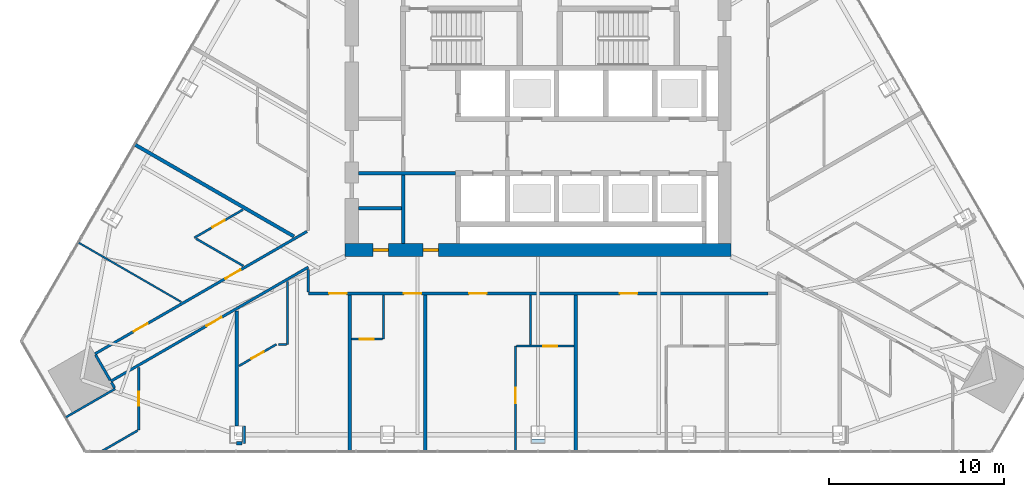
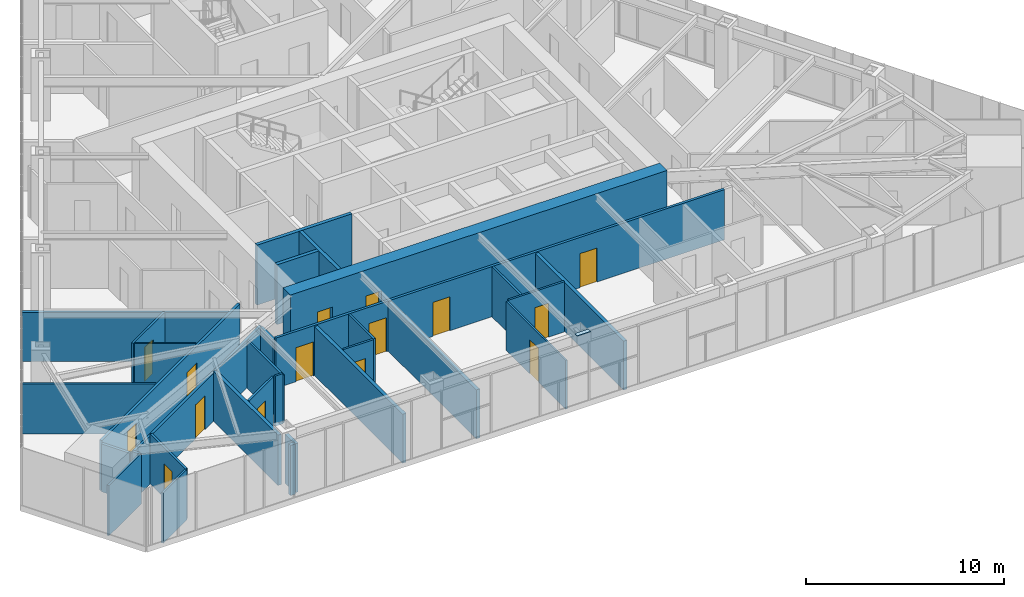
# One storey, part 18 of 24: 31 walls, 15 doors, 1 plate, 15 openings.
"""IFC4 building model written with IfcOpenShell, lengths in metres."""

from ifc_helpers import new_model, si_unit, direction, frame, frame_2d, origin, place, context, subcontext, project, spatial, polyline, rectangle, outline, extrude, material, layer, layer_set, type_object, element, fill, save


model = new_model("IFC4")

# Units and contexts
model_context = context("Model", 3, precision=1e-05, world=origin(), true_north=direction((0.0, 1.0)))
body_context = subcontext(model_context, "Body", "Model", "MODEL_VIEW")
ifc_project = project(units=[si_unit("LENGTHUNIT", "METRE"), si_unit("AREAUNIT", "SQUARE_METRE"), si_unit("VOLUMEUNIT", "CUBIC_METRE"), si_unit("PLANEANGLEUNIT", "RADIAN"), si_unit("MASSUNIT", "GRAM", prefix="KILO")], contexts=[model_context])

# Site, building, storey
site_placement = place(None, origin())
site = spatial("IfcSite", under=ifc_project, at=site_placement, CompositionType="ELEMENT")
building_placement = place(site_placement, origin())
building = spatial("IfcBuilding", under=site, at=building_placement, Name="Firuza Gate Tower and Library", CompositionType="ELEMENT")
storey_placement = place(building_placement, frame((0.0, 0.0, 206.5)))
storey = spatial("IfcBuildingStorey", under=building, at=storey_placement, Name="L48", CompositionType="ELEMENT", Elevation=206.5)

# Plate
ifc_material_1 = material(Name="Steel S355", Category="steel")
ifc_layer_1 = layer(ifc_material_1, 0.030029296875)
ifc_layer_set_1 = layer_set([ifc_layer_1], Name="Column infill plate 30 Steel S355")
plate_type = type_object("IfcPlateType", Name="Column infill plate 30 Steel S355", PredefinedType="SHEET", material=ifc_layer_set_1)
plate_placement = place(storey_placement, frame((0.0, 0.0, 3.89990234375)))
element("IfcPlate", 1, at=plate_placement, inside=storey, type_object=plate_type, Name="Infill plate L48:S3", PredefinedType="SHEET", context=body_context, shape_type="SweptSolid", body=[
    extrude(outline(polyline([(75.39990234375, 56.3583984375), (75.39990234375, 56.597412109375), (74.60009765625, 56.597412109375), (74.60009765625, 56.3583984375), (75.39990234375, 56.3583984375)])), origin(), (0.0, 0.0, 1.0), 0.030029296875),
])

# Walls
ifc_material_2 = material(Name="Plasterboard on steel studs", Category="steel")
ifc_layer_2 = layer(ifc_material_2, 0.199951171875)
ifc_layer_set_2 = layer_set([ifc_layer_2], Name="Core partition 200 EI 120")
wall_type_1 = type_object("IfcWallType", Name="Core partition 200 EI 120", PredefinedType="PARTITIONING", material=ifc_layer_set_2)
wall_1_placement = place(storey_placement, frame((64.75, 71.75, 0.0), z_axis=(0.0, 0.0, 1.0), x_axis=(1.0, 0.0, 0.0)))
element("IfcWall", 2, at=wall_1_placement, inside=storey, type_object=wall_type_1, Name="Core partition L48 2", PredefinedType="PARTITIONING", context=body_context, shape_type="SweptSolid", body=[
    extrude(rectangle(XDim=5.550048828125, YDim=0.199951171875, at=frame_2d((2.77490234375, 0.0))), origin(), (0.0, 0.0, 1.0), 3.699951171875),
])
wall_2_placement = place(storey_placement, frame((67.300048828125, 67.75, 0.0), z_axis=(0.0, 0.0, 1.0), x_axis=(0.0, 1.0, 0.0)))
element("IfcWall", 3, at=wall_2_placement, inside=storey, type_object=wall_type_1, Name="Core partition L48 7", PredefinedType="PARTITIONING", context=body_context, shape_type="SweptSolid", body=[
    extrude(rectangle(XDim=3.89990234375, YDim=0.199951171875, at=frame_2d((1.949951171875, 0.0))), origin(), (0.0, 0.0, 1.0), 3.699951171875),
])
ifc_material_3 = material(Name="Plasterboard on steel studs", Category="steel")
ifc_layer_3 = layer(ifc_material_3, 0.199951171875)
ifc_layer_set_3 = layer_set([ifc_layer_3], Name="Core partition 200 EI 60")
wall_type_2 = type_object("IfcWallType", Name="Core partition 200 EI 60", PredefinedType="PARTITIONING", material=ifc_layer_set_3)
wall_3_placement = place(storey_placement, frame((64.75, 69.75, 0.0), z_axis=(0.0, 0.0, 1.0), x_axis=(1.0, 0.0, 0.0)))
element("IfcWall", 4, at=wall_3_placement, inside=storey, type_object=wall_type_2, Name="Core partition L48 1", PredefinedType="PARTITIONING", context=body_context, shape_type="SweptSolid", body=[
    extrude(rectangle(XDim=2.449951171875, YDim=0.199951171875, at=frame_2d((1.22509765625, 0.0))), origin(), (0.0, 0.0, 1.0), 3.699951171875),
])

# Wall, openings, doors
ifc_material_4 = material(Name="Concrete C80/95", Category="concrete")
ifc_layer_4 = layer(ifc_material_4, 0.75)
ifc_layer_set_4 = layer_set([ifc_layer_4], Name="Core wall 750 C80/95")
wall_type_3 = type_object("IfcWallType", Name="Core wall 750 C80/95", PredefinedType="SHEAR", material=ifc_layer_set_4)
wall_4_placement = place(storey_placement, frame((64.0, 67.375, 0.0), z_axis=(0.0, 0.0, 1.0), x_axis=(1.0, 0.0, 0.0)))
wall_4 = element("IfcWall", 5, at=wall_4_placement, inside=storey, type_object=wall_type_3, Name="Core wall L48 1", PredefinedType="SHEAR", context=body_context, shape_type="SweptSolid", body=[
    extrude(rectangle(XDim=22.0, YDim=0.75, at=frame_2d((11.0, 0.0))), origin(), (0.0, 0.0, 1.0), 3.699951171875),
])
opening_1_placement = place(wall_4_placement, frame((1.574951171875, 0.0, 0.0)))
opening_1 = element("IfcOpeningElement", 6, at=opening_1_placement, cuts=wall_4, Name="Opening L48-K22", PredefinedType="OPENING", context=body_context, shape_type="SweptSolid", body=[
    extrude(rectangle(XDim=0.89990234375, YDim=2.10009765625, at=frame_2d((0.449951171875, 1.050048828125))), frame((0.0, 0.385009765625, 0.0), z_axis=(0.0, -1.0, 0.0), x_axis=(1.0, 0.0, 0.0)), (0.0, 0.0, 1.0), 0.77001953125),
])
opening_2_placement = place(wall_4_placement, frame((4.425048828125, 0.0, 0.0)))
opening_2 = element("IfcOpeningElement", 7, at=opening_2_placement, cuts=wall_4, Name="Opening L48-K24", PredefinedType="OPENING", context=body_context, shape_type="SweptSolid", body=[
    extrude(rectangle(XDim=0.89990234375, YDim=2.10009765625, at=frame_2d((0.449951171875, 1.050048828125))), frame((0.0, 0.385009765625, 0.0), z_axis=(0.0, -1.0, 0.0), x_axis=(1.0, 0.0, 0.0)), (0.0, 0.0, 1.0), 0.77001953125),
])
ifc_material_5 = material(Name="Steel", Category="steel")
door_type_1 = type_object("IfcDoorType", Name="Fire door 900x2100 FD30S", OperationType="NOTDEFINED", PredefinedType="DOOR", material=ifc_material_5)
door_1_placement = place(opening_1_placement, origin())
door_1 = element("IfcDoor", 8, at=door_1_placement, inside=storey, type_object=door_type_1, Name="Door L48-K22", OperationType="SINGLE_SWING_LEFT", OverallHeight=2.10009765625, OverallWidth=0.89990234375, PredefinedType="DOOR", context=body_context, shape_type="SweptSolid", body=[
    extrude(rectangle(XDim=0.89990234375, YDim=2.10009765625, at=frame_2d((0.449951171875, 1.050048828125))), frame((0.0, 0.094970703125, 0.0), z_axis=(0.0, -1.0, 0.0), x_axis=(1.0, 0.0, 0.0)), (0.0, 0.0, 1.0), 0.18994140625),
])
fill(opening_1, door_1)
door_2_placement = place(opening_2_placement, origin())
door_2 = element("IfcDoor", 9, at=door_2_placement, inside=storey, type_object=door_type_1, Name="Door L48-K24", OperationType="SINGLE_SWING_LEFT", OverallHeight=2.10009765625, OverallWidth=0.89990234375, PredefinedType="DOOR", context=body_context, shape_type="SweptSolid", body=[
    extrude(rectangle(XDim=0.89990234375, YDim=2.10009765625, at=frame_2d((0.449951171875, 1.050048828125))), frame((0.0, 0.094970703125, 0.0), z_axis=(0.0, -1.0, 0.0), x_axis=(1.0, 0.0, 0.0)), (0.0, 0.0, 1.0), 0.18994140625),
])
fill(opening_2, door_2)

ifc_material_6 = material(Name="Gypsum board partition")
ifc_layer_5 = layer(ifc_material_6, 0.14990234375)
ifc_layer_set_5 = layer_set([ifc_layer_5], Name="Corridor wall 150 double board on steel studs")
wall_type_4 = type_object("IfcWallType", Name="Corridor wall 150 double board on steel studs", PredefinedType="PARTITIONING", material=ifc_layer_set_5)
wall_5_placement = place(storey_placement, frame((88.099609375, 64.89990234375, 0.0), z_axis=(0.0, 0.0, 1.0), x_axis=(-1.0, 0.0, 0.0)))
wall_5 = element("IfcWall", 10, at=wall_5_placement, inside=storey, type_object=wall_type_4, Name="f:L48:w007", PredefinedType="PARTITIONING", context=body_context, shape_type="SweptSolid", body=[
    extrude(rectangle(XDim=26.19970703125, YDim=0.14990234375, at=frame_2d((13.099853515625, 0.0))), origin(), (0.0, 0.0, 1.0), 3.10009765625),
])
opening_3_placement = place(wall_5_placement, frame((7.443359375, 0.0, 0.0)))
opening_3 = element("IfcOpeningElement", 11, at=opening_3_placement, cuts=wall_5, Name="Opening L48-05", PredefinedType="OPENING", context=body_context, shape_type="SweptSolid", body=[
    extrude(rectangle(XDim=1.0, YDim=2.10009765625, at=frame_2d((0.5, 1.050048828125))), frame((0.0, 0.0849609375, 0.0), z_axis=(0.0, -1.0, 0.0), x_axis=(1.0, 0.0, 0.0)), (0.0, 0.0, 1.0), 0.169921875),
])
opening_4_placement = place(wall_5_placement, frame((16.037109375, 0.0, 0.0)))
opening_4 = element("IfcOpeningElement", 12, at=opening_4_placement, cuts=wall_5, Name="Opening L48-06", PredefinedType="OPENING", context=body_context, shape_type="SweptSolid", body=[
    extrude(rectangle(XDim=1.0, YDim=2.10009765625, at=frame_2d((0.5, 1.050048828125))), frame((0.0, 0.0849609375, 0.0), z_axis=(0.0, -1.0, 0.0), x_axis=(1.0, 0.0, 0.0)), (0.0, 0.0, 1.0), 0.169921875),
])
opening_5_placement = place(wall_5_placement, frame((19.747314453125, 0.0, 0.0)))
opening_5 = element("IfcOpeningElement", 13, at=opening_5_placement, cuts=wall_5, Name="Opening L48-07", PredefinedType="OPENING", context=body_context, shape_type="SweptSolid", body=[
    extrude(rectangle(XDim=1.0, YDim=2.10009765625, at=frame_2d((0.5, 1.050048828125))), frame((0.0, 0.0849609375, 0.0), z_axis=(0.0, -1.0, 0.0), x_axis=(1.0, 0.0, 0.0)), (0.0, 0.0, 1.0), 0.169921875),
])
opening_6_placement = place(wall_5_placement, frame((24.0126953125, 0.0, 0.0)))
opening_6 = element("IfcOpeningElement", 14, at=opening_6_placement, cuts=wall_5, Name="Opening L48-08", PredefinedType="OPENING", context=body_context, shape_type="SweptSolid", body=[
    extrude(rectangle(XDim=1.0, YDim=2.10009765625, at=frame_2d((0.5, 1.050048828125))), frame((0.0, 0.0849609375, 0.0), z_axis=(0.0, -1.0, 0.0), x_axis=(1.0, 0.0, 0.0)), (0.0, 0.0, 1.0), 0.169921875),
])
ifc_material_7 = material(Name="Steel door and timber leaf", Category="steel")
door_type_2 = type_object("IfcDoorType", Name="Fire door 1000 x 2100 steel frame, timber leaf", OperationType="NOTDEFINED", PredefinedType="DOOR", material=ifc_material_7)
door_3_placement = place(opening_3_placement, origin())
door_3 = element("IfcDoor", 15, at=door_3_placement, inside=storey, type_object=door_type_2, Name="f:L48:d005", OperationType="SINGLE_SWING_LEFT", OverallHeight=2.10009765625, OverallWidth=1.0, PredefinedType="DOOR", context=body_context, shape_type="SweptSolid", body=[
    extrude(rectangle(XDim=1.0, YDim=2.10009765625, at=frame_2d((0.5, 1.050048828125))), frame((0.0, 0.02490234375, 0.0), z_axis=(0.0, -1.0, 0.0), x_axis=(1.0, 0.0, 0.0)), (0.0, 0.0, 1.0), 0.050048828125),
])
fill(opening_3, door_3)
door_4_placement = place(opening_4_placement, origin())
door_4 = element("IfcDoor", 16, at=door_4_placement, inside=storey, type_object=door_type_2, Name="f:L48:d006", OperationType="SINGLE_SWING_RIGHT", OverallHeight=2.10009765625, OverallWidth=1.0, PredefinedType="DOOR", context=body_context, shape_type="SweptSolid", body=[
    extrude(rectangle(XDim=1.0, YDim=2.10009765625, at=frame_2d((0.5, 1.050048828125))), frame((0.0, 0.02490234375, 0.0), z_axis=(0.0, -1.0, 0.0), x_axis=(1.0, 0.0, 0.0)), (0.0, 0.0, 1.0), 0.050048828125),
])
fill(opening_4, door_4)
door_5_placement = place(opening_5_placement, origin())
door_5 = element("IfcDoor", 17, at=door_5_placement, inside=storey, type_object=door_type_2, Name="f:L48:d007", OperationType="SINGLE_SWING_RIGHT", OverallHeight=2.10009765625, OverallWidth=1.0, PredefinedType="DOOR", context=body_context, shape_type="SweptSolid", body=[
    extrude(rectangle(XDim=1.0, YDim=2.10009765625, at=frame_2d((0.5, 1.050048828125))), frame((0.0, 0.02490234375, 0.0), z_axis=(0.0, -1.0, 0.0), x_axis=(1.0, 0.0, 0.0)), (0.0, 0.0, 1.0), 0.050048828125),
])
fill(opening_5, door_5)
door_6_placement = place(opening_6_placement, origin())
door_6 = element("IfcDoor", 18, at=door_6_placement, inside=storey, type_object=door_type_2, Name="f:L48:d008", OperationType="SINGLE_SWING_RIGHT", OverallHeight=2.10009765625, OverallWidth=1.0, PredefinedType="DOOR", context=body_context, shape_type="SweptSolid", body=[
    extrude(rectangle(XDim=1.0, YDim=2.10009765625, at=frame_2d((0.5, 1.050048828125))), frame((0.0, 0.02490234375, 0.0), z_axis=(0.0, -1.0, 0.0), x_axis=(1.0, 0.0, 0.0)), (0.0, 0.0, 1.0), 0.050048828125),
])
fill(opening_6, door_6)

# Wall, opening, door
wall_6_placement = place(storey_placement, frame((61.89990234375, 66.3974609375, 0.0), z_axis=(0.0, 0.0, 1.0), x_axis=(-0.866028610752, -0.499994445327, 0.0)))
wall_6 = element("IfcWall", 19, at=wall_6_placement, inside=storey, type_object=wall_type_4, Name="f:L48:w028", PredefinedType="PARTITIONING", context=body_context, shape_type="SweptSolid", body=[
    extrude(rectangle(XDim=13.001708984375, YDim=0.14990234375, at=frame_2d((6.5009765625, 0.0))), origin(), (0.0, 0.0, 1.0), 2.947021484375),
])
opening_7_placement = place(wall_6_placement, frame((5.701171875, 0.0, 0.0)))
opening_7 = element("IfcOpeningElement", 20, at=opening_7_placement, cuts=wall_6, Name="Opening L48-16", PredefinedType="OPENING", context=body_context, shape_type="SweptSolid", body=[
    extrude(rectangle(XDim=1.0, YDim=2.10009765625, at=frame_2d((0.5, 1.050048828125))), frame((0.0, 0.0849609375, 0.0), z_axis=(0.0, -1.0, 0.0), x_axis=(1.0, 0.0, 0.0)), (0.0, 0.0, 1.0), 0.169921875),
])
door_7_placement = place(opening_7_placement, origin())
door_7 = element("IfcDoor", 21, at=door_7_placement, inside=storey, type_object=door_type_2, Name="f:L48:d016", OperationType="SINGLE_SWING_RIGHT", OverallHeight=2.10009765625, OverallWidth=1.0, PredefinedType="DOOR", context=body_context, shape_type="SweptSolid", body=[
    extrude(rectangle(XDim=1.0, YDim=2.10009765625, at=frame_2d((0.5, 1.050048828125))), frame((0.0, 0.02490234375, 0.0), z_axis=(0.0, -1.0, 0.0), x_axis=(1.0, 0.0, 0.0)), (0.0, 0.0, 1.0), 0.050048828125),
])
fill(opening_7, door_7)

# Wall, openings, doors
wall_7_placement = place(storey_placement, frame((49.740478515625, 61.455810546875, 0.0), z_axis=(0.0, 0.0, 1.0), x_axis=(0.866030582951, 0.499991029314, 0.0)))
wall_7 = element("IfcWall", 22, at=wall_7_placement, inside=storey, type_object=wall_type_4, Name="f:L48:w029", PredefinedType="PARTITIONING", context=body_context, shape_type="SweptSolid", body=[
    extrude(rectangle(XDim=13.953857421875, YDim=0.14990234375, at=frame_2d((6.97705078125, 0.0))), origin(), (0.0, 0.0, 1.0), 3.10009765625),
])
opening_8_placement = place(wall_7_placement, frame((2.5517578125, 0.0, 0.0)))
opening_8 = element("IfcOpeningElement", 23, at=opening_8_placement, cuts=wall_7, Name="Opening L48-17", PredefinedType="OPENING", context=body_context, shape_type="SweptSolid", body=[
    extrude(rectangle(XDim=0.89990234375, YDim=2.10009765625, at=frame_2d((0.449951171875, 1.050048828125))), frame((0.0, 0.0849609375, 0.0), z_axis=(0.0, -1.0, 0.0), x_axis=(1.0, 0.0, 0.0)), (0.0, 0.0, 1.0), 0.169921875),
])
opening_9_placement = place(wall_7_placement, frame((8.578857421875, 0.0, 0.0)))
opening_9 = element("IfcOpeningElement", 24, at=opening_9_placement, cuts=wall_7, Name="Opening L48-18", PredefinedType="OPENING", context=body_context, shape_type="SweptSolid", body=[
    extrude(rectangle(XDim=1.0, YDim=2.10009765625, at=frame_2d((0.5, 1.050048828125))), frame((0.0, 0.0849609375, 0.0), z_axis=(0.0, -1.0, 0.0), x_axis=(1.0, 0.0, 0.0)), (0.0, 0.0, 1.0), 0.169921875),
])
door_8_placement = place(opening_9_placement, origin())
door_8 = element("IfcDoor", 25, at=door_8_placement, inside=storey, type_object=door_type_2, Name="f:L48:d018", OperationType="SINGLE_SWING_RIGHT", OverallHeight=2.10009765625, OverallWidth=1.0, PredefinedType="DOOR", context=body_context, shape_type="SweptSolid", body=[
    extrude(rectangle(XDim=1.0, YDim=2.10009765625, at=frame_2d((0.5, 1.050048828125))), frame((0.0, 0.02490234375, 0.0), z_axis=(0.0, -1.0, 0.0), x_axis=(1.0, 0.0, 0.0)), (0.0, 0.0, 1.0), 0.050048828125),
])
fill(opening_9, door_8)
ifc_material_8 = material(Name="Steel door and timber leaf", Category="steel")
door_type_3 = type_object("IfcDoorType", Name="Fire door 900 x 2100 steel frame, timber leaf", OperationType="NOTDEFINED", PredefinedType="DOOR", material=ifc_material_8)
door_9_placement = place(opening_8_placement, origin())
door_9 = element("IfcDoor", 26, at=door_9_placement, inside=storey, type_object=door_type_3, Name="f:L48:d017", OperationType="SINGLE_SWING_RIGHT", OverallHeight=2.10009765625, OverallWidth=0.89990234375, PredefinedType="DOOR", context=body_context, shape_type="SweptSolid", body=[
    extrude(rectangle(XDim=0.89990234375, YDim=2.10009765625, at=frame_2d((0.449951171875, 1.050048828125))), frame((0.0, 0.02490234375, 0.0), z_axis=(0.0, -1.0, 0.0), x_axis=(1.0, 0.0, 0.0)), (0.0, 0.0, 1.0), 0.050048828125),
])
fill(opening_8, door_9)

# Walls
wall_8_placement = place(storey_placement, frame((61.89990234375, 64.97509765625, 0.0), z_axis=(0.0, 0.0, 1.0), x_axis=(0.0, 1.0, 0.0)))
element("IfcWall", 27, at=wall_8_placement, inside=storey, type_object=wall_type_4, Name="f:L48:w063", PredefinedType="PARTITIONING", context=body_context, shape_type="SweptSolid", body=[
    extrude(rectangle(XDim=1.285888671875, YDim=0.14990234375, at=frame_2d((0.64306640625, 0.0))), origin(), (0.0, 0.0, 1.0), 2.947021484375),
])
wall_9_placement = place(storey_placement, frame((50.85986328125, 59.51611328125, 0.0), z_axis=(0.0, 0.0, 1.0), x_axis=(-0.499741784413, 0.866174433305, 0.0)))
element("IfcWall", 28, at=wall_9_placement, inside=storey, type_object=wall_type_4, Name="f:L48:w074", PredefinedType="PARTITIONING", context=body_context, shape_type="SweptSolid", body=[
    extrude(rectangle(XDim=0.364501953125, YDim=0.14990234375, at=frame_2d((0.18212890625, 0.0))), origin(), (0.0, 0.0, 1.0), 3.10009765625),
])
wall_10_placement = place(storey_placement, frame((50.6025390625, 59.961669921875, 0.0), z_axis=(0.0, 0.0, 1.0), x_axis=(-0.499991515992, 0.866030301974, 0.0)))
element("IfcWall", 29, at=wall_10_placement, inside=storey, type_object=wall_type_4, Name="f:L48:w096", PredefinedType="PARTITIONING", context=body_context, shape_type="SweptSolid", body=[
    extrude(rectangle(XDim=1.6494140625, YDim=0.14990234375, at=frame_2d((0.82470703125, 0.0))), origin(), (0.0, 0.0, 1.0), 2.947021484375),
])
ifc_material_9 = material(Name="Gypsum board partition")
ifc_layer_6 = layer(ifc_material_9, 0.199951171875)
ifc_layer_set_6 = layer_set([ifc_layer_6], Name="Demising wall 200 acoustic double stud")
wall_type_5 = type_object("IfcWallType", Name="Demising wall 200 acoustic double stud", PredefinedType="PARTITIONING", material=ifc_layer_set_6)
wall_11_placement = place(storey_placement, frame((57.8125, 56.35791015625, 0.0), z_axis=(0.0, 0.0, 1.0), x_axis=(1.0, 0.0, 0.0)))
element("IfcWall", 30, at=wall_11_placement, inside=storey, type_object=wall_type_5, Name="f:L48:w000", PredefinedType="PARTITIONING", context=body_context, shape_type="SweptSolid", body=[
    extrude(rectangle(XDim=0.300048828125, YDim=0.199951171875, at=frame_2d((0.14990234375, 0.0))), origin(), (0.0, 0.0, 1.0), 3.10009765625),
])
for number, where, z_axis, x_axis, name in (
    (31, (77.14794921875, 55.898193359375, 0.0), (0.0, 0.0, 1.0), (0.0, 1.0, 0.0), "f:L48:w052"),
    (32, (68.554931640625, 55.898193359375, 0.0), (0.0, 0.0, 1.0), (0.0, 1.0, 0.0), "f:L48:w059"),
    (33, (64.258056640625, 55.898193359375, 0.0), (0.0, 0.0, 1.0), (0.0, 1.0, 0.0), "f:L48:w062"),
):
    element("IfcWall", number, at=place(storey_placement, frame(where, z_axis=z_axis, x_axis=x_axis)), inside=storey, type_object=wall_type_5, Name=name, PredefinedType="PARTITIONING", context=body_context, shape_type="SweptSolid", body=[
        extrude(rectangle(XDim=8.9267578125, YDim=0.199951171875, at=frame_2d((4.46337890625, 0.0))), origin(), (0.0, 0.0, 1.0), 3.02197265625),
    ])
wall_12_placement = place(storey_placement, frame((58.212890625, 56.3583984375, 0.0), z_axis=(0.0, 0.0, 1.0), x_axis=(0.0, 1.0, 0.0)))
element("IfcWall", 34, at=wall_12_placement, inside=storey, type_object=wall_type_5, Name="f:L48:w069", PredefinedType="PARTITIONING", context=body_context, shape_type="SweptSolid", body=[
    extrude(rectangle(XDim=1.0, YDim=0.199951171875, at=frame_2d((0.5, 0.0))), origin(), (0.0, 0.0, 1.0), 3.02197265625),
])
wall_13_placement = place(storey_placement, frame((57.81298828125, 57.3583984375, 0.0), z_axis=(0.0, 0.0, 1.0), x_axis=(0.0, 1.0, 0.0)))
element("IfcWall", 35, at=wall_13_placement, inside=storey, type_object=wall_type_5, Name="f:L48:w070", PredefinedType="PARTITIONING", context=body_context, shape_type="SweptSolid", body=[
    extrude(rectangle(XDim=6.532470703125, YDim=0.199951171875, at=frame_2d((3.26611328125, 0.0))), origin(), (0.0, 0.0, 1.0), 3.10009765625),
])
wall_14_placement = place(storey_placement, frame((61.082275390625, 68.150146484375, 0.0), z_axis=(0.0, 0.0, 1.0), x_axis=(-0.866022549299, 0.50000494408, 0.0)))
element("IfcWall", 36, at=wall_14_placement, inside=storey, type_object=wall_type_5, Name="f:L48:w092", PredefinedType="PARTITIONING", context=body_context, shape_type="SweptSolid", body=[
    extrude(rectangle(XDim=10.4736328125, YDim=0.199951171875, at=frame_2d((5.23681640625, 0.0))), origin(), (0.0, 0.0, 1.0), 3.02197265625),
])

# Wall, opening, door
ifc_material_10 = material(Name="Gypsum board partition")
ifc_layer_7 = layer(ifc_material_10, 0.10009765625)
ifc_layer_set_7 = layer_set([ifc_layer_7], Name="Partition 100 gypsum board on steel studs")
wall_type_6 = type_object("IfcWallType", Name="Partition 100 gypsum board on steel studs", PredefinedType="PARTITIONING", material=ifc_layer_set_7)
wall_15_placement = place(storey_placement, frame((73.7109375, 61.89990234375, 0.0), z_axis=(0.0, 0.0, 1.0), x_axis=(0.0, -1.0, 0.0)))
wall_15 = element("IfcWall", 37, at=wall_15_placement, inside=storey, type_object=wall_type_6, Name="f:L48:w056", PredefinedType="PARTITIONING", context=body_context, shape_type="SweptSolid", body=[
    extrude(rectangle(XDim=6.001708984375, YDim=0.10009765625, at=frame_2d((3.0009765625, 0.0))), origin(), (0.0, 0.0, 1.0), 3.02197265625),
])
opening_10_placement = place(wall_15_placement, frame((2.370849609375, 0.0, 0.0)))
opening_10 = element("IfcOpeningElement", 38, at=opening_10_placement, cuts=wall_15, Name="Opening L48-30", PredefinedType="OPENING", context=body_context, shape_type="SweptSolid", body=[
    extrude(rectangle(XDim=0.89990234375, YDim=2.10009765625, at=frame_2d((0.449951171875, 1.050048828125))), frame((0.0, 0.06005859375, 0.0), z_axis=(0.0, -1.0, 0.0), x_axis=(1.0, 0.0, 0.0)), (0.0, 0.0, 1.0), 0.1201171875),
])
ifc_material_11 = material(Name="Timber door", Category="wood")
door_type_4 = type_object("IfcDoorType", Name="Door 900 x 2100 timber leaf", OperationType="NOTDEFINED", PredefinedType="DOOR", material=ifc_material_11)
door_10_placement = place(opening_10_placement, origin())
door_10 = element("IfcDoor", 39, at=door_10_placement, inside=storey, type_object=door_type_4, Name="f:L48:d030", OperationType="SINGLE_SWING_LEFT", OverallHeight=2.10009765625, OverallWidth=0.89990234375, PredefinedType="DOOR", context=body_context, shape_type="SweptSolid", body=[
    extrude(rectangle(XDim=0.89990234375, YDim=2.10009765625, at=frame_2d((0.449951171875, 1.050048828125))), frame((0.0, 0.02490234375, 0.0), z_axis=(0.0, -1.0, 0.0), x_axis=(1.0, 0.0, 0.0)), (0.0, 0.0, 1.0), 0.050048828125),
])
fill(opening_10, door_10)

# Wall
wall_16_placement = place(storey_placement, frame((54.6630859375, 64.414306640625, 0.0), z_axis=(0.0, 0.0, 1.0), x_axis=(-0.866023732449, 0.500002894826, 0.0)))
element("IfcWall", 40, at=wall_16_placement, inside=storey, type_object=wall_type_6, Name="f:L48:w094", PredefinedType="PARTITIONING", context=body_context, shape_type="SweptSolid", body=[
    extrude(rectangle(XDim=6.7822265625, YDim=0.10009765625, at=frame_2d((3.39111328125, 0.0))), origin(), (0.0, 0.0, 1.0), 3.10009765625),
])

# Wall, opening, door
ifc_material_12 = material(Name="Gypsum board partition")
ifc_layer_8 = layer(ifc_material_12, 0.1201171875)
ifc_layer_set_8 = layer_set([ifc_layer_8], Name="Wet-area partition 120 moisture-resistant board")
wall_type_7 = type_object("IfcWallType", Name="Wet-area partition 120 moisture-resistant board", PredefinedType="PARTITIONING", material=ifc_layer_set_8)
wall_17_placement = place(storey_placement, frame((73.77099609375, 61.89990234375, 0.0), z_axis=(0.0, 0.0, 1.0), x_axis=(1.0, 0.0, 0.0)))
wall_17 = element("IfcWall", 41, at=wall_17_placement, inside=storey, type_object=wall_type_7, Name="f:L48:w002", PredefinedType="PARTITIONING", context=body_context, shape_type="SweptSolid", body=[
    extrude(rectangle(XDim=3.267333984375, YDim=0.1201171875, at=frame_2d((1.6337890625, 0.0))), origin(), (0.0, 0.0, 1.0), 3.10009765625),
])
opening_11_placement = place(wall_17_placement, frame((1.533447265625, 0.0, 0.0)))
opening_11 = element("IfcOpeningElement", 42, at=opening_11_placement, cuts=wall_17, Name="Opening L48-01", PredefinedType="OPENING", context=body_context, shape_type="SweptSolid", body=[
    extrude(rectangle(XDim=0.800048828125, YDim=2.10009765625, at=frame_2d((0.39990234375, 1.050048828125))), frame((0.0, 0.070068359375, 0.0), z_axis=(0.0, -1.0, 0.0), x_axis=(1.0, 0.0, 0.0)), (0.0, 0.0, 1.0), 0.14013671875),
])
ifc_material_13 = material(Name="Timber door", Category="wood")
door_type_5 = type_object("IfcDoorType", Name="Door 800 x 2100 timber leaf", OperationType="NOTDEFINED", PredefinedType="DOOR", material=ifc_material_13)
door_11_placement = place(opening_11_placement, origin())
door_11 = element("IfcDoor", 43, at=door_11_placement, inside=storey, type_object=door_type_5, Name="f:L48:d001", OperationType="SINGLE_SWING_LEFT", OverallHeight=2.10009765625, OverallWidth=0.800048828125, PredefinedType="DOOR", context=body_context, shape_type="SweptSolid", body=[
    extrude(rectangle(XDim=0.800048828125, YDim=2.10009765625, at=frame_2d((0.39990234375, 1.050048828125))), frame((0.0, 0.02490234375, 0.0), z_axis=(0.0, -1.0, 0.0), x_axis=(1.0, 0.0, 0.0)), (0.0, 0.0, 1.0), 0.050048828125),
])
fill(opening_11, door_11)

# Wall
wall_18_placement = place(storey_placement, frame((60.203369140625, 62.0, 0.0), z_axis=(0.0, 0.0, 1.0), x_axis=(1.0, 0.0, 0.0)))
element("IfcWall", 44, at=wall_18_placement, inside=storey, type_object=wall_type_7, Name="f:L48:w004", PredefinedType="PARTITIONING", context=body_context, shape_type="SweptSolid", body=[
    extrude(rectangle(XDim=0.449462890625, YDim=0.1201171875, at=frame_2d((0.224609375, 0.0))), origin(), (0.0, 0.0, 1.0), 3.10009765625),
])

# Wall, opening, door
wall_19_placement = place(storey_placement, frame((64.367919921875, 62.300048828125, 0.0), z_axis=(0.0, 0.0, 1.0), x_axis=(1.0, 0.0, 0.0)))
wall_19 = element("IfcWall", 45, at=wall_19_placement, inside=storey, type_object=wall_type_7, Name="f:L48:w006", PredefinedType="PARTITIONING", context=body_context, shape_type="SweptSolid", body=[
    extrude(rectangle(XDim=1.75341796875, YDim=0.1201171875, at=frame_2d((0.876708984375, 0.0))), origin(), (0.0, 0.0, 1.0), 3.10009765625),
])
opening_12_placement = place(wall_19_placement, frame((0.476806640625, 0.0, 0.0)))
opening_12 = element("IfcOpeningElement", 46, at=opening_12_placement, cuts=wall_19, Name="Opening L48-04", PredefinedType="OPENING", context=body_context, shape_type="SweptSolid", body=[
    extrude(rectangle(XDim=0.800048828125, YDim=2.10009765625, at=frame_2d((0.39990234375, 1.050048828125))), frame((0.0, 0.070068359375, 0.0), z_axis=(0.0, -1.0, 0.0), x_axis=(1.0, 0.0, 0.0)), (0.0, 0.0, 1.0), 0.14013671875),
])
door_12_placement = place(opening_12_placement, origin())
door_12 = element("IfcDoor", 47, at=door_12_placement, inside=storey, type_object=door_type_5, Name="f:L48:d004", OperationType="SINGLE_SWING_RIGHT", OverallHeight=2.10009765625, OverallWidth=0.800048828125, PredefinedType="DOOR", context=body_context, shape_type="SweptSolid", body=[
    extrude(rectangle(XDim=0.800048828125, YDim=2.10009765625, at=frame_2d((0.39990234375, 1.050048828125))), frame((0.0, 0.02490234375, 0.0), z_axis=(0.0, -1.0, 0.0), x_axis=(1.0, 0.0, 0.0)), (0.0, 0.0, 1.0), 0.050048828125),
])
fill(opening_12, door_12)

# Wall
wall_20_placement = place(storey_placement, frame((50.11474609375, 55.898193359375, 0.0), z_axis=(0.0, 0.0, 1.0), x_axis=(0.865977459579, 0.500083032607, 0.0)))
element("IfcWall", 48, at=wall_20_placement, inside=storey, type_object=wall_type_7, Name="f:L48:w024", PredefinedType="PARTITIONING", context=body_context, shape_type="SweptSolid", body=[
    extrude(rectangle(XDim=2.38330078125, YDim=0.1201171875, at=frame_2d((1.191650390625, 0.0))), origin(), (0.0, 0.0, 1.0), 3.10009765625),
])

# Wall, opening, door
wall_21_placement = place(storey_placement, frame((57.947021484375, 60.766845703125, 0.0), z_axis=(0.0, 0.0, 1.0), x_axis=(0.866060325455, 0.499939509014, 0.0)))
wall_21 = element("IfcWall", 49, at=wall_21_placement, inside=storey, type_object=wall_type_7, Name="f:L48:w025", PredefinedType="PARTITIONING", context=body_context, shape_type="SweptSolid", body=[
    extrude(rectangle(XDim=2.466552734375, YDim=0.1201171875, at=frame_2d((1.2333984375, 0.0))), origin(), (0.0, 0.0, 1.0), 3.10009765625),
])
opening_13_placement = place(wall_21_placement, frame((0.833251953125, 0.0, 0.0)))
opening_13 = element("IfcOpeningElement", 50, at=opening_13_placement, cuts=wall_21, Name="Opening L48-15", PredefinedType="OPENING", context=body_context, shape_type="SweptSolid", body=[
    extrude(rectangle(XDim=0.800048828125, YDim=2.10009765625, at=frame_2d((0.39990234375, 1.050048828125))), frame((0.0, 0.070068359375, 0.0), z_axis=(0.0, -1.0, 0.0), x_axis=(1.0, 0.0, 0.0)), (0.0, 0.0, 1.0), 0.14013671875),
])
door_13_placement = place(opening_13_placement, origin())
door_13 = element("IfcDoor", 51, at=door_13_placement, inside=storey, type_object=door_type_5, Name="f:L48:d015", OperationType="SINGLE_SWING_RIGHT", OverallHeight=2.10009765625, OverallWidth=0.800048828125, PredefinedType="DOOR", context=body_context, shape_type="SweptSolid", body=[
    extrude(rectangle(XDim=0.800048828125, YDim=2.10009765625, at=frame_2d((0.39990234375, 1.050048828125))), frame((0.0, 0.02490234375, 0.0), z_axis=(0.0, -1.0, 0.0), x_axis=(1.0, 0.0, 0.0)), (0.0, 0.0, 1.0), 0.050048828125),
])
fill(opening_13, door_13)

# Wall
wall_22_placement = place(storey_placement, frame((48.06689453125, 57.833740234375, 0.0), z_axis=(0.0, 0.0, 1.0), x_axis=(0.866035906198, 0.499981808845, 0.0)))
element("IfcWall", 52, at=wall_22_placement, inside=storey, type_object=wall_type_7, Name="f:L48:w027", PredefinedType="PARTITIONING", context=body_context, shape_type="SweptSolid", body=[
    extrude(rectangle(XDim=3.25927734375, YDim=0.1201171875, at=frame_2d((1.629638671875, 0.0))), origin(), (0.0, 0.0, 1.0), 3.10009765625),
])

# Wall, opening, door
wall_23_placement = place(storey_placement, frame((58.1748046875, 69.673828125, 0.0), z_axis=(0.0, 0.0, 1.0), x_axis=(-0.866051923801, -0.49995406317, 0.0)))
wall_23 = element("IfcWall", 53, at=wall_23_placement, inside=storey, type_object=wall_type_7, Name="f:L48:w031", PredefinedType="PARTITIONING", context=body_context, shape_type="SweptSolid", body=[
    extrude(rectangle(XDim=3.193603515625, YDim=0.1201171875, at=frame_2d((1.5966796875, 0.0))), origin(), (0.0, 0.0, 1.0), 3.10009765625),
])
opening_14_placement = place(wall_23_placement, frame((1.19677734375, 0.0, 0.0)))
opening_14 = element("IfcOpeningElement", 54, at=opening_14_placement, cuts=wall_23, Name="Opening L48-19", PredefinedType="OPENING", context=body_context, shape_type="SweptSolid", body=[
    extrude(rectangle(XDim=0.800048828125, YDim=2.10009765625, at=frame_2d((0.39990234375, 1.050048828125))), frame((0.0, 0.070068359375, 0.0), z_axis=(0.0, -1.0, 0.0), x_axis=(1.0, 0.0, 0.0)), (0.0, 0.0, 1.0), 0.14013671875),
])
door_14_placement = place(opening_14_placement, origin())
door_14 = element("IfcDoor", 55, at=door_14_placement, inside=storey, type_object=door_type_5, Name="f:L48:d019", OperationType="SINGLE_SWING_RIGHT", OverallHeight=2.10009765625, OverallWidth=0.800048828125, PredefinedType="DOOR", context=body_context, shape_type="SweptSolid", body=[
    extrude(rectangle(XDim=0.800048828125, YDim=2.10009765625, at=frame_2d((0.39990234375, 1.050048828125))), frame((0.0, 0.02490234375, 0.0), z_axis=(0.0, -1.0, 0.0), x_axis=(1.0, 0.0, 0.0)), (0.0, 0.0, 1.0), 0.050048828125),
])
fill(opening_14, door_14)

# Walls
wall_24_placement = place(storey_placement, frame((74.570068359375, 61.9599609375, 0.0), z_axis=(0.0, 0.0, 1.0), x_axis=(0.0, 1.0, 0.0)))
element("IfcWall", 56, at=wall_24_placement, inside=storey, type_object=wall_type_7, Name="f:L48:w054", PredefinedType="PARTITIONING", context=body_context, shape_type="SweptSolid", body=[
    extrude(rectangle(XDim=2.864990234375, YDim=0.1201171875, at=frame_2d((1.4326171875, 0.0))), origin(), (0.0, 0.0, 1.0), 3.10009765625),
])
wall_25_placement = place(storey_placement, frame((66.19091796875, 62.300048828125, 0.0), z_axis=(0.0, 0.0, 1.0), x_axis=(0.0, 1.0, 0.0)))
element("IfcWall", 57, at=wall_25_placement, inside=storey, type_object=wall_type_7, Name="f:L48:w061", PredefinedType="PARTITIONING", context=body_context, shape_type="SweptSolid", body=[
    extrude(rectangle(XDim=2.52490234375, YDim=0.1201171875, at=frame_2d((1.262451171875, 0.0))), origin(), (0.0, 0.0, 1.0), 3.10009765625),
])
wall_26_placement = place(storey_placement, frame((60.712890625, 62.0, 0.0), z_axis=(0.0, 0.0, 1.0), x_axis=(0.0, 1.0, 0.0)))
element("IfcWall", 58, at=wall_26_placement, inside=storey, type_object=wall_type_7, Name="f:L48:w065", PredefinedType="PARTITIONING", context=body_context, shape_type="SweptSolid", body=[
    extrude(rectangle(XDim=3.58544921875, YDim=0.1201171875, at=frame_2d((1.792724609375, 0.0))), origin(), (0.0, 0.0, 1.0), 2.947021484375),
])

# Wall, opening, door
wall_27_placement = place(storey_placement, frame((52.239013671875, 57.12451171875, 0.0), z_axis=(0.0, 0.0, 1.0), x_axis=(0.0, 1.0, 0.0)))
wall_27 = element("IfcWall", 59, at=wall_27_placement, inside=storey, type_object=wall_type_7, Name="f:L48:w071", PredefinedType="PARTITIONING", context=body_context, shape_type="SweptSolid", body=[
    extrude(rectangle(XDim=3.568603515625, YDim=0.1201171875, at=frame_2d((1.7841796875, 0.0))), origin(), (0.0, 0.0, 1.0), 3.10009765625),
])
opening_15_placement = place(wall_27_placement, frame((1.38427734375, 0.0, 0.0)))
opening_15 = element("IfcOpeningElement", 60, at=opening_15_placement, cuts=wall_27, Name="Opening L48-36", PredefinedType="OPENING", context=body_context, shape_type="SweptSolid", body=[
    extrude(rectangle(XDim=0.800048828125, YDim=2.10009765625, at=frame_2d((0.39990234375, 1.050048828125))), frame((0.0, 0.070068359375, 0.0), z_axis=(0.0, -1.0, 0.0), x_axis=(1.0, 0.0, 0.0)), (0.0, 0.0, 1.0), 0.14013671875),
])
door_15_placement = place(opening_15_placement, origin())
door_15 = element("IfcDoor", 61, at=door_15_placement, inside=storey, type_object=door_type_5, Name="f:L48:d036", OperationType="SINGLE_SWING_RIGHT", OverallHeight=2.10009765625, OverallWidth=0.800048828125, PredefinedType="DOOR", context=body_context, shape_type="SweptSolid", body=[
    extrude(rectangle(XDim=0.800048828125, YDim=2.10009765625, at=frame_2d((0.39990234375, 1.050048828125))), frame((0.0, 0.02490234375, 0.0), z_axis=(0.0, -1.0, 0.0), x_axis=(1.0, 0.0, 0.0)), (0.0, 0.0, 1.0), 0.050048828125),
])
fill(opening_15, door_15)

# Wall
wall_28_placement = place(storey_placement, frame((58.199462890625, 66.466064453125, 0.0), z_axis=(0.0, 0.0, 1.0), x_axis=(-0.866028856698, 0.499994019331, 0.0)))
element("IfcWall", 62, at=wall_28_placement, inside=storey, type_object=wall_type_7, Name="f:L48:w093", PredefinedType="PARTITIONING", context=body_context, shape_type="SweptSolid", body=[
    extrude(rectangle(XDim=3.11279296875, YDim=0.1201171875, at=frame_2d((1.556396484375, 0.0))), origin(), (0.0, 0.0, 1.0), 3.10009765625),
])

save(model, "model.ifc")
